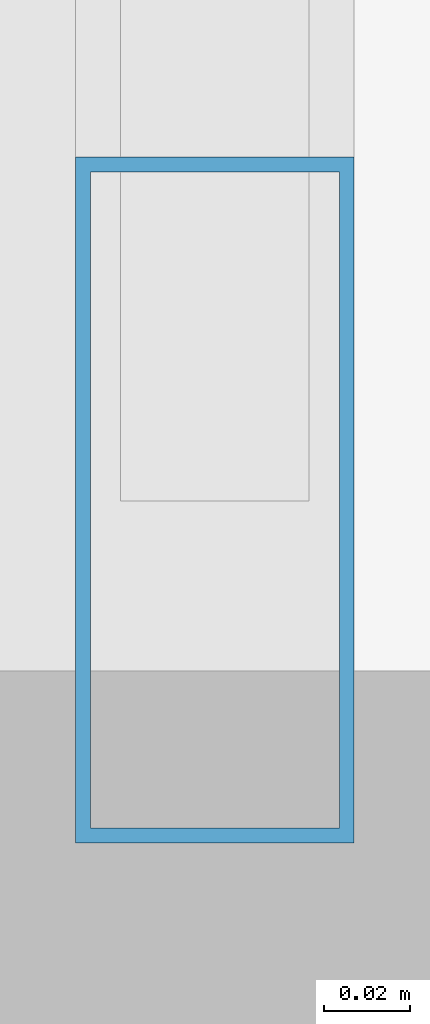
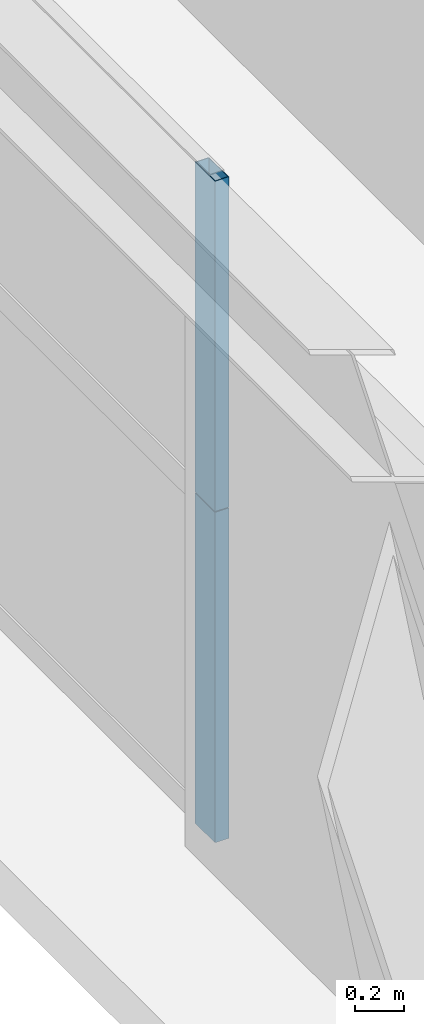
# One storey, part 5 of 34: 2 members, 1 element without a shape of its own.
"""IFC4 building model written with IfcOpenShell, lengths in metres."""

from ifc_helpers import new_model, si_unit, direction, frame, origin, origin_2d, place, context, subcontext, project, spatial, hollow_rectangle, extrude, source, transform, mapped, material, layer, layer_set, material_profile, profile_set, type_object, element, aggregate, save


model = new_model("IFC4")

# Units and contexts
model_context = context("Model", 3, precision=1e-05, world=origin(), true_north=direction((0.0, 1.0)))
body_context = subcontext(model_context, "Body", "Model", "MODEL_VIEW")
ifc_project = project(units=[si_unit("LENGTHUNIT", "METRE"), si_unit("AREAUNIT", "SQUARE_METRE"), si_unit("VOLUMEUNIT", "CUBIC_METRE"), si_unit("PLANEANGLEUNIT", "RADIAN"), si_unit("MASSUNIT", "GRAM", prefix="KILO"), si_unit("THERMODYNAMICTEMPERATUREUNIT", "KELVIN"), si_unit("POWERUNIT", "WATT")], contexts=[model_context])

# Site, building, storey
site_placement = place(None, origin())
site = spatial("IfcSite", under=ifc_project, at=site_placement, CompositionType="ELEMENT")
building_placement = place(site_placement, origin())
building = spatial("IfcBuilding", under=site, at=building_placement, Name="Yuzanri Waterfront Tower", CompositionType="ELEMENT")
storey_placement = place(building_placement, frame((0.0, 0.0, 241.60009765625)))
storey = spatial("IfcBuildingStorey", under=building, at=storey_placement, Name="L64", CompositionType="ELEMENT", Elevation=241.60009765625)

# Curtain wall, members
ifc_material_1 = material(Name="Anodized Architectural Bronze", Category="metal")
ifc_layer = layer(ifc_material_1, 0.159912109375)
ifc_layer_set = layer_set([ifc_layer], Name="Anodized Architectural Bronze")
curtain_wall_type = type_object("IfcCurtainWallType", Name="Anodized Bronze Mid-Rise Residential Acoustic Unitized Curtain Wall 7200", PredefinedType="NOTDEFINED", material=ifc_layer_set)
curtain_wall_placement = place(storey_placement, origin())
curtain_wall = element("IfcCurtainWall", 1, at=curtain_wall_placement, inside=storey, type_object=curtain_wall_type, Name="L64 Curtain Wall CW-L64-WL", PredefinedType="NOTDEFINED")
ifc_material_2 = material(Name="Anodized Architectural Bronze", Category="metal")
ifc_material_profile = material_profile(ifc_material_2, hollow_rectangle(XDim=0.06494140625, YDim=0.159912109375, WallThickness=0.00341796875, at=origin_2d()), Name="CWM 65x160")
ifc_profile_set = profile_set([ifc_material_profile], Name="Anodized Architectural Bronze")
member_type = type_object("IfcMemberType", Name="Anodized Bronze Upper-Zone Curtain-Wall Mullion 65x160", PredefinedType="MULLION", material=ifc_profile_set)
shared_shape = source(origin(), body_context, "Body", "SweptSolid", [
    extrude(hollow_rectangle(XDim=0.06494140625, YDim=0.159912109375, WallThickness=0.00341796875, at=origin_2d()), origin(), (0.0, 0.0, 1.0), 1.637939453125),
])
member_1_placement = place(storey_placement, frame((16.550048828125, 12.590087890625, 0.0), z_axis=(0.0, 0.0, 1.0), x_axis=(1.0, 0.0, 0.0)))
member_1 = element("IfcMember", 2, at=member_1_placement, type_object=member_type, Name="CW-L64-WL Lower Mullion 00", PredefinedType="MULLION", context=body_context, shape_type="MappedRepresentation", body=[
    mapped(shared_shape, transform((0.0, 0.0, 0.0), scale=1.0)),
])
member_2_placement = place(storey_placement, frame((16.550048828125, 12.590087890625, 1.641845703125), z_axis=(0.0, 0.0, 1.0), x_axis=(1.0, 0.0, 0.0)))
member_2 = element("IfcMember", 3, at=member_2_placement, type_object=member_type, Name="CW-L64-WL Upper Mullion 00", PredefinedType="MULLION", context=body_context, shape_type="MappedRepresentation", body=[
    mapped(shared_shape, transform((0.0, 0.0, 0.0), scale=1.0)),
])
aggregate(curtain_wall, [member_1, member_2])

save(model, "model.ifc")
